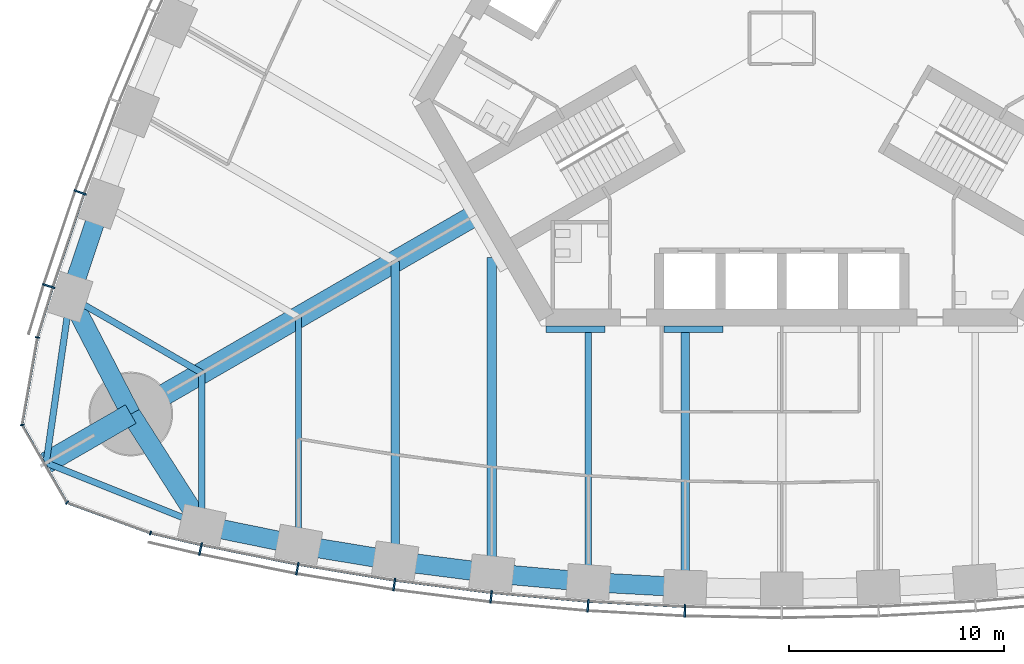
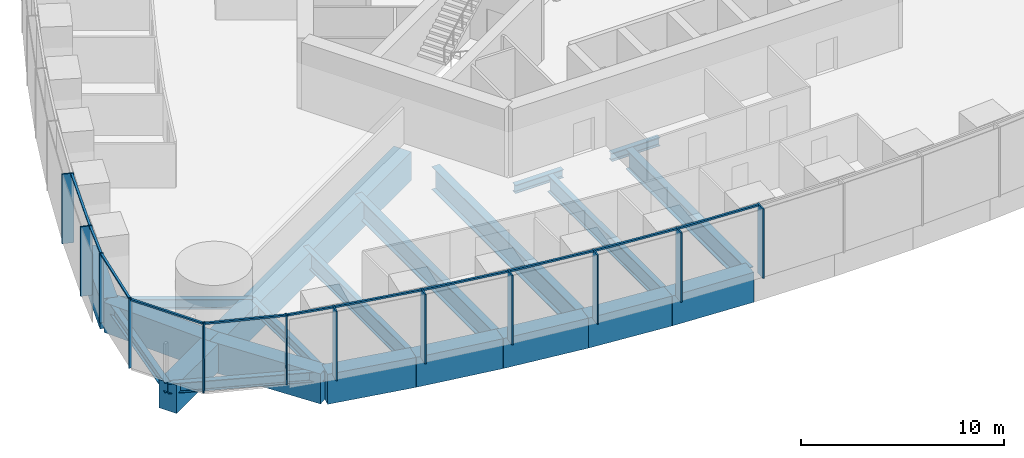
# One storey, part 2 of 18: 23 members, 21 beams, 3 elements without a shape of their own.
"""IFC4 building model written with IfcOpenShell, lengths in metres."""

from ifc_helpers import new_model, si_unit, direction, frame, origin, origin_2d, place, context, subcontext, project, spatial, rectangle, i_section, extrude, material, material_profile, profile_set, type_object, element, aggregate, save


model = new_model("IFC4")

# Units and contexts
model_context = context("Model", 3, precision=1e-05, world=origin(), true_north=direction((0.0, 1.0)))
body_context = subcontext(model_context, "Body", "Model", "MODEL_VIEW")
ifc_project = project(units=[si_unit("LENGTHUNIT", "METRE"), si_unit("AREAUNIT", "SQUARE_METRE"), si_unit("VOLUMEUNIT", "CUBIC_METRE"), si_unit("PLANEANGLEUNIT", "RADIAN"), si_unit("MASSUNIT", "GRAM", prefix="KILO")], contexts=[model_context])

# Site, building, storey
site_placement = place(None, origin())
site = spatial("IfcSite", under=ifc_project, at=site_placement, CompositionType="ELEMENT")
building_placement = place(site_placement, origin())
building = spatial("IfcBuilding", under=site, at=building_placement, Name="Trefoil Bronze Tower", CompositionType="ELEMENT")
storey_placement = place(building_placement, frame((0.0, 0.0, 157.699951171875)))
storey = spatial("IfcBuildingStorey", under=building, at=storey_placement, Name="L36", CompositionType="ELEMENT", Elevation=157.699951171875)

# Curtain wall, members
ifc_material_1 = material(Name="Tinted solar-control glass", Category="glass")
curtain_wall_type_1 = type_object("IfcCurtainWallType", Name="Bronze office curtain wall", PredefinedType="USERDEFINED", material=ifc_material_1)
curtain_wall_1_placement = place(storey_placement, origin())
curtain_wall_1 = element("IfcCurtainWall", 1, at=curtain_wall_1_placement, inside=storey, type_object=curtain_wall_type_1, Name="CW-A L36 F1", ObjectType="CURTAIN WALL", PredefinedType="USERDEFINED")
ifc_material_2 = material(Name="Bronze-finish aluminium", Category="aluminium")
ifc_material_profile_1 = material_profile(ifc_material_2, rectangle(XDim=0.60009765625, YDim=0.080078125, at=origin_2d()), Name="CW-A mullion")
ifc_profile_set_1 = profile_set([ifc_material_profile_1], Name="Bronze-finish aluminium")
member_type_1 = type_object("IfcMemberType", Name="Bronze office curtain wall mullion", PredefinedType="MULLION", material=ifc_profile_set_1)
member_1_placement = place(storey_placement, frame((-27.0634765625, -23.7890625, 0.0), z_axis=(0.0, 0.0, 1.0), x_axis=(0.21197042503, 0.977276081214, 0.0)))
member_1 = element("IfcMember", 2, at=member_1_placement, type_object=member_type_1, Name="CW-A L36 F1 mullion 2", PredefinedType="MULLION", context=body_context, shape_type="SweptSolid", body=[
    extrude(rectangle(XDim=0.60009765625, YDim=0.080078125, at=origin_2d()), origin(), (0.0, 0.0, 1.0), 4.179931640625),
])
member_2_placement = place(storey_placement, frame((-22.553955078125, -24.700927734375, 0.0), z_axis=(0.0, 0.0, 1.0), x_axis=(0.180240853954, 0.98362250613, 0.0)))
member_2 = element("IfcMember", 3, at=member_2_placement, type_object=member_type_1, Name="CW-A L36 F1 mullion 3", PredefinedType="MULLION", context=body_context, shape_type="SweptSolid", body=[
    extrude(rectangle(XDim=0.60009765625, YDim=0.080078125, at=origin_2d()), origin(), (0.0, 0.0, 1.0), 4.179931640625),
])
member_3_placement = place(storey_placement, frame((-18.043212890625, -25.4423828125, 0.0), z_axis=(0.0, 0.0, 1.0), x_axis=(0.144192103798, 0.989549714366, 0.0)))
member_3 = element("IfcMember", 4, at=member_3_placement, type_object=member_type_1, Name="CW-A L36 F1 mullion 4", PredefinedType="MULLION", context=body_context, shape_type="SweptSolid", body=[
    extrude(rectangle(XDim=0.60009765625, YDim=0.080078125, at=origin_2d()), origin(), (0.0, 0.0, 1.0), 4.179931640625),
])
member_4_placement = place(storey_placement, frame((-13.532470703125, -26.01611328125, 0.0), z_axis=(0.0, 0.0, 1.0), x_axis=(0.108143747013, 0.994135267447, 0.0)))
member_4 = element("IfcMember", 5, at=member_4_placement, type_object=member_type_1, Name="CW-A L36 F1 mullion 5", PredefinedType="MULLION", context=body_context, shape_type="SweptSolid", body=[
    extrude(rectangle(XDim=0.60009765625, YDim=0.080078125, at=origin_2d()), origin(), (0.0, 0.0, 1.0), 4.179931640625),
])
member_5_placement = place(storey_placement, frame((-9.021728515625, -26.424072265625, 0.0), z_axis=(0.0, 0.0, 1.0), x_axis=(0.072095676284, 0.997397720802, 0.0)))
member_5 = element("IfcMember", 6, at=member_5_placement, type_object=member_type_1, Name="CW-A L36 F1 mullion 6", PredefinedType="MULLION", context=body_context, shape_type="SweptSolid", body=[
    extrude(rectangle(XDim=0.60009765625, YDim=0.080078125, at=origin_2d()), origin(), (0.0, 0.0, 1.0), 4.179931640625),
])
member_6_placement = place(storey_placement, frame((-4.5107421875, -26.66845703125, 0.0), z_axis=(0.0, 0.0, 1.0), x_axis=(0.036047792107, 0.999350067136, 0.0)))
member_6 = element("IfcMember", 7, at=member_6_placement, type_object=member_type_1, Name="CW-A L36 F1 mullion 7", PredefinedType="MULLION", context=body_context, shape_type="SweptSolid", body=[
    extrude(rectangle(XDim=0.60009765625, YDim=0.080078125, at=origin_2d()), origin(), (0.0, 0.0, 1.0), 4.179931640625),
])

curtain_wall_2_placement = place(storey_placement, origin())
curtain_wall_2 = element("IfcCurtainWall", 8, at=curtain_wall_2_placement, inside=storey, type_object=curtain_wall_type_1, Name="CW-A L36 F3", ObjectType="CURTAIN WALL", PredefinedType="USERDEFINED")
member_7_placement = place(storey_placement, frame((-32.668701171875, -7.181884765625, 0.0), z_axis=(0.0, 0.0, 1.0), x_axis=(0.94196250502, -0.335718094742, 0.0)))
member_7 = element("IfcMember", 9, at=member_7_placement, type_object=member_type_1, Name="CW-A L36 F3 mullion 13", PredefinedType="MULLION", context=body_context, shape_type="SweptSolid", body=[
    extrude(rectangle(XDim=0.60009765625, YDim=0.080078125, at=origin_2d()), origin(), (0.0, 0.0, 1.0), 4.179931640625),
])
member_8_placement = place(storey_placement, frame((-34.1337890625, -11.543212890625, 0.0), z_axis=(0.0, 0.0, 1.0), x_axis=(0.952331125357, -0.30506626768, 0.0)))
member_8 = element("IfcMember", 10, at=member_8_placement, type_object=member_type_1, Name="CW-A L36 F3 mullion 14", PredefinedType="MULLION", context=body_context, shape_type="SweptSolid", body=[
    extrude(rectangle(XDim=0.60009765625, YDim=0.080078125, at=origin_2d()), origin(), (0.0, 0.0, 1.0), 4.179931640625),
])

# Member
ifc_material_3 = material(Name="Bronze-finish aluminium", Category="aluminium")
ifc_material_profile_2 = material_profile(ifc_material_3, rectangle(XDim=0.1201171875, YDim=0.10009765625, at=origin_2d()), Name="CW-A transom")
ifc_profile_set_2 = profile_set([ifc_material_profile_2], Name="Bronze-finish aluminium")
member_type_2 = type_object("IfcMemberType", Name="Bronze office curtain wall transom", PredefinedType="USERDEFINED", material=ifc_profile_set_2)
member_9_placement = place(storey_placement, frame((-29.34130859375, -23.05615234375, 4.130126953125), z_axis=(0.974206243495, -0.225659467196, 0.0), x_axis=(0.225659467196, 0.974206243495, 0.0)))
member_9 = element("IfcMember", 11, at=member_9_placement, type_object=member_type_2, Name="CW-A L36 F1 transom 1", ObjectType="TRANSOM", PredefinedType="USERDEFINED", context=body_context, shape_type="SweptSolid", body=[
    extrude(rectangle(XDim=0.1201171875, YDim=0.10009765625, at=origin_2d()), origin(), (0.0, 0.0, 1.0), 2.340087890625),
])

member_10_placement = place(storey_placement, frame((-26.980712890625, -23.601806640625, 4.130126953125), z_axis=(0.980153749225, -0.198238815273, 0.0), x_axis=(0.198238815273, 0.980153749225, 0.0)))
member_10 = element("IfcMember", 12, at=member_10_placement, type_object=member_type_2, Name="CW-A L36 F1 transom 2", ObjectType="TRANSOM", PredefinedType="USERDEFINED", context=body_context, shape_type="SweptSolid", body=[
    extrude(rectangle(XDim=0.1201171875, YDim=0.10009765625, at=origin_2d()), origin(), (0.0, 0.0, 1.0), 4.51123046875),
])

member_11_placement = place(storey_placement, frame((-22.476806640625, -24.510986328125, 4.130126953125), z_axis=(0.986755265284, -0.162216048636, 0.0), x_axis=(0.162216048636, 0.986755265284, 0.0)))
member_11 = element("IfcMember", 13, at=member_11_placement, type_object=member_type_2, Name="CW-A L36 F1 transom 3", ObjectType="TRANSOM", PredefinedType="USERDEFINED", context=body_context, shape_type="SweptSolid", body=[
    extrude(rectangle(XDim=0.1201171875, YDim=0.10009765625, at=origin_2d()), origin(), (0.0, 0.0, 1.0), 4.48046875),
])

member_12_placement = place(storey_placement, frame((-17.972900390625, -25.249755859375, 4.130126953125), z_axis=(0.992008387848, -0.12617193998, 0.0), x_axis=(0.12617193998, 0.992008387848, 0.0)))
member_12 = element("IfcMember", 14, at=member_12_placement, type_object=member_type_2, Name="CW-A L36 F1 transom 4", ObjectType="TRANSOM", PredefinedType="USERDEFINED", context=body_context, shape_type="SweptSolid", body=[
    extrude(rectangle(XDim=0.1201171875, YDim=0.10009765625, at=origin_2d()), origin(), (0.0, 0.0, 1.0), 4.456298828125),
])

member_13_placement = place(storey_placement, frame((-13.46923828125, -25.821044921875, 4.130126953125), z_axis=(0.995932787062, -0.090099298863, 0.0), x_axis=(0.090099298863, 0.995932787062, 0.0)))
member_13 = element("IfcMember", 15, at=member_13_placement, type_object=member_type_2, Name="CW-A L36 F1 transom 5", ObjectType="TRANSOM", PredefinedType="USERDEFINED", context=body_context, shape_type="SweptSolid", body=[
    extrude(rectangle(XDim=0.1201171875, YDim=0.10009765625, at=origin_2d()), origin(), (0.0, 0.0, 1.0), 4.4384765625),
])

member_14_placement = place(storey_placement, frame((-8.965576171875, -26.22705078125, 4.130126953125), z_axis=(0.998538253569, -0.054049571306, 0.0), x_axis=(0.054049571306, 0.998538253569, 0.0)))
member_14 = element("IfcMember", 16, at=member_14_placement, type_object=member_type_2, Name="CW-A L36 F1 transom 6", ObjectType="TRANSOM", PredefinedType="USERDEFINED", context=body_context, shape_type="SweptSolid", body=[
    extrude(rectangle(XDim=0.1201171875, YDim=0.10009765625, at=origin_2d()), origin(), (0.0, 0.0, 1.0), 4.4267578125),
])

aggregate(curtain_wall_1, [member_1, member_2, member_3, member_4, member_5, member_6, member_9, member_10, member_11, member_12, member_13, member_14])

member_15_placement = place(storey_placement, frame((-32.49365234375, -7.28857421875, 4.130126953125), z_axis=(-0.318386323729, -0.947961048178, 0.0), x_axis=(0.947961048178, -0.318386323729, 0.0)))
member_15 = element("IfcMember", 17, at=member_15_placement, type_object=member_type_2, Name="CW-A L36 F3 transom 13", ObjectType="TRANSOM", PredefinedType="USERDEFINED", context=body_context, shape_type="SweptSolid", body=[
    extrude(rectangle(XDim=0.1201171875, YDim=0.10009765625, at=origin_2d()), origin(), (0.0, 0.0, 1.0), 4.51123046875),
])

member_16_placement = place(storey_placement, frame((-33.955322265625, -11.643798828125, 4.130126953125), z_axis=(-0.291680468798, -0.956515814883, 0.0), x_axis=(0.956515814883, -0.291680468798, 0.0)))
member_16 = element("IfcMember", 18, at=member_16_placement, type_object=member_type_2, Name="CW-A L36 F3 transom 14", ObjectType="TRANSOM", PredefinedType="USERDEFINED", context=body_context, shape_type="SweptSolid", body=[
    extrude(rectangle(XDim=0.1201171875, YDim=0.10009765625, at=origin_2d()), origin(), (0.0, 0.0, 1.0), 2.34033203125),
])

aggregate(curtain_wall_2, [member_7, member_8, member_15, member_16])

# Curtain wall, members
ifc_material_4 = material(Name="Tinted solar-control glass", Category="glass")
curtain_wall_type_2 = type_object("IfcCurtainWallType", Name="Bronze rounded corner curtain wall", PredefinedType="USERDEFINED", material=ifc_material_4)
curtain_wall_3_placement = place(storey_placement, origin())
curtain_wall_3 = element("IfcCurtainWall", 19, at=curtain_wall_3_placement, inside=storey, type_object=curtain_wall_type_2, Name="CW-B L36 K3", ObjectType="CURTAIN WALL", PredefinedType="USERDEFINED")
ifc_material_5 = material(Name="Bronze-finish aluminium", Category="aluminium")
ifc_material_profile_3 = material_profile(ifc_material_5, rectangle(XDim=0.199951171875, YDim=0.06005859375, at=origin_2d()), Name="CW-B mullion")
ifc_profile_set_3 = profile_set([ifc_material_profile_3], Name="Bronze-finish aluminium")
member_type_3 = type_object("IfcMemberType", Name="Bronze rounded corner curtain wall mullion", PredefinedType="MULLION", material=ifc_profile_set_3)
member_17_placement = place(storey_placement, frame((-34.65234375, -13.932373046875, 0.0), z_axis=(0.0, 0.0, 1.0), x_axis=(0.984807753012, -0.173648177667, 0.0)))
member_17 = element("IfcMember", 20, at=member_17_placement, type_object=member_type_3, Name="CW-B L36 K3 mullion 1", PredefinedType="MULLION", context=body_context, shape_type="SweptSolid", body=[
    extrude(rectangle(XDim=0.199951171875, YDim=0.06005859375, at=origin_2d()), origin(), (0.0, 0.0, 1.0), 4.179931640625),
])
member_18_placement = place(storey_placement, frame((-35.364990234375, -18.009033203125, 0.0), z_axis=(0.0, 0.0, 1.0), x_axis=(0.984807753012, 0.173648177667, 0.0)))
member_18 = element("IfcMember", 21, at=member_18_placement, type_object=member_type_3, Name="CW-B L36 K3 mullion 2", PredefinedType="MULLION", context=body_context, shape_type="SweptSolid", body=[
    extrude(rectangle(XDim=0.199951171875, YDim=0.06005859375, at=origin_2d()), origin(), (0.0, 0.0, 1.0), 4.179931640625),
])
member_19_placement = place(storey_placement, frame((-33.27880859375, -21.62255859375, 0.0), z_axis=(0.0, 0.0, 1.0), x_axis=(0.642787609687, 0.766044443119, 0.0)))
member_19 = element("IfcMember", 22, at=member_19_placement, type_object=member_type_3, Name="CW-B L36 K3 mullion 3", PredefinedType="MULLION", context=body_context, shape_type="SweptSolid", body=[
    extrude(rectangle(XDim=0.199951171875, YDim=0.06005859375, at=origin_2d()), origin(), (0.0, 0.0, 1.0), 4.179931640625),
])
member_20_placement = place(storey_placement, frame((-29.391845703125, -23.043701171875, 0.0), z_axis=(0.0, 0.0, 1.0), x_axis=(0.342020143326, 0.939692620786, 0.0)))
member_20 = element("IfcMember", 23, at=member_20_placement, type_object=member_type_3, Name="CW-B L36 K3 mullion 4", PredefinedType="MULLION", context=body_context, shape_type="SweptSolid", body=[
    extrude(rectangle(XDim=0.199951171875, YDim=0.06005859375, at=origin_2d()), origin(), (0.0, 0.0, 1.0), 4.179931640625),
])
ifc_material_6 = material(Name="Bronze-finish aluminium", Category="aluminium")
ifc_material_profile_4 = material_profile(ifc_material_6, rectangle(XDim=0.1201171875, YDim=0.10009765625, at=origin_2d()), Name="CW-B transom")
ifc_profile_set_4 = profile_set([ifc_material_profile_4], Name="Bronze-finish aluminium")
member_type_4 = type_object("IfcMemberType", Name="Bronze rounded corner curtain wall transom", PredefinedType="USERDEFINED", material=ifc_profile_set_4)
member_21_placement = place(storey_placement, frame((-34.657470703125, -13.9619140625, 4.130126953125), z_axis=(-0.173682016639, -0.984801785689, 0.0), x_axis=(0.984801785689, -0.173682016639, 0.0)))
member_21 = element("IfcMember", 24, at=member_21_placement, type_object=member_type_4, Name="CW-B L36 K3 transom 1", ObjectType="TRANSOM", PredefinedType="USERDEFINED", context=body_context, shape_type="SweptSolid", body=[
    extrude(rectangle(XDim=0.1201171875, YDim=0.10009765625, at=origin_2d()), origin(), (0.0, 0.0, 1.0), 4.044189453125),
])
member_22_placement = place(storey_placement, frame((-35.338134765625, -18.067626953125, 4.130126953125), z_axis=(0.500015078168, -0.866016698225, 0.0), x_axis=(0.866016698225, 0.500015078168, 0.0)))
member_22 = element("IfcMember", 25, at=member_22_placement, type_object=member_type_4, Name="CW-B L36 K3 transom 2", ObjectType="TRANSOM", PredefinedType="USERDEFINED", context=body_context, shape_type="SweptSolid", body=[
    extrude(rectangle(XDim=0.1201171875, YDim=0.10009765625, at=origin_2d()), origin(), (0.0, 0.0, 1.0), 4.04443359375),
])
member_23_placement = place(storey_placement, frame((-33.220458984375, -21.650146484375, 4.130126953125), z_axis=(0.939684096629, -0.342043562347, 0.0), x_axis=(0.342043562347, 0.939684096629, 0.0)))
member_23 = element("IfcMember", 26, at=member_23_placement, type_object=member_type_4, Name="CW-B L36 K3 transom 3", ObjectType="TRANSOM", PredefinedType="USERDEFINED", context=body_context, shape_type="SweptSolid", body=[
    extrude(rectangle(XDim=0.1201171875, YDim=0.10009765625, at=origin_2d()), origin(), (0.0, 0.0, 1.0), 4.044189453125),
])
aggregate(curtain_wall_3, [member_17, member_18, member_19, member_20, member_21, member_22, member_23])

# Beams
ifc_material_7 = material(Name="Steel C355", Category="steel")
ifc_material_profile_5 = material_profile(ifc_material_7, i_section(OverallWidth=0.300048828125, OverallDepth=0.5, WebThickness=0.014404296875, FlangeThickness=0.028076171875, FilletRadius=0.027099609375, at=origin_2d()), Name="HEB 500")
ifc_profile_set_5 = profile_set([ifc_material_profile_5], Name="Steel C355")
beam_type_1 = type_object("IfcBeamType", Name="Core seat beam HEB 500", PredefinedType="BEAM", material=ifc_profile_set_5)
for number, where, z_axis, x_axis, name in (
    (27, (-10.9697265625, -13.550048828125, -0.449951171875), (1.0, 0.0, 0.0), (0.0, 1.0, 0.0), "Core seat beam F1/-2 L36"),
    (28, (-5.48486328125, -13.550048828125, -0.449951171875), (1.0, 0.0, 0.0), (0.0, 1.0, 0.0), "Core seat beam F1/-1 L36"),
):
    element("IfcBeam", number, at=place(storey_placement, frame(where, z_axis=z_axis, x_axis=x_axis)), inside=storey, type_object=beam_type_1, Name=name, PredefinedType="BEAM", context=body_context, shape_type="SweptSolid", body=[
        extrude(i_section(OverallWidth=0.300048828125, OverallDepth=0.5, WebThickness=0.014404296875, FlangeThickness=0.028076171875, FilletRadius=0.027099609375, at=origin_2d()), origin(), (0.0, 0.0, 1.0), 2.742431640625),
    ])
ifc_material_8 = material(Name="Concrete B80", Category="concrete")
ifc_material_profile_6 = material_profile(ifc_material_8, rectangle(XDim=1.0, YDim=1.699951171875, at=origin_2d()), Name="RC 1000x1700")
ifc_profile_set_6 = profile_set([ifc_material_profile_6], Name="Concrete B80")
beam_type_2 = type_object("IfcBeamType", Name="Corner cantilever RC 1000x1700", PredefinedType="BEAM", material=ifc_profile_set_6)
beam_1_placement = place(storey_placement, frame((-30.310791015625, -17.5, -1.050048828125), z_axis=(-0.866031878637, -0.499988785058, 0.0), x_axis=(0.499988785058, -0.866031878637, 0.0)))
element("IfcBeam", 29, at=beam_1_placement, inside=storey, type_object=beam_type_2, Name="Corner cantilever K3 L36", PredefinedType="BEAM", context=body_context, shape_type="SweptSolid", body=[
    extrude(rectangle(XDim=1.0, YDim=1.699951171875, at=origin_2d()), origin(), (0.0, 0.0, 1.0), 4.54931640625),
])
ifc_material_9 = material(Name="Steel C355", Category="steel")
ifc_material_profile_7 = material_profile(ifc_material_9, i_section(OverallWidth=0.300048828125, OverallDepth=0.60009765625, WebThickness=0.015380859375, FlangeThickness=0.030029296875, FilletRadius=0.027099609375, at=origin_2d()), Name="HEB 600")
ifc_profile_set_7 = profile_set([ifc_material_profile_7], Name="Steel C355")
beam_type_3 = type_object("IfcBeamType", Name="Corner edge beam HEB 600", PredefinedType="BEAM", material=ifc_profile_set_7)
for number, where, z_axis, x_axis, name in (
    (30, (-27.0, -22.67724609375, -0.5), (-0.928375332495, 0.371643972122, 0.0), (-0.371643972122, -0.928375332495, 0.0), "Corner edge beam F1B L36"),
    (31, (-33.13916015625, -12.044189453125, -0.5), (-0.142327214588, -0.989819662357, 0.0), (0.989819662357, -0.142327214588, 0.0), "Corner edge beam F3A L36"),
):
    element("IfcBeam", number, at=place(storey_placement, frame(where, z_axis=z_axis, x_axis=x_axis)), inside=storey, type_object=beam_type_3, Name=name, PredefinedType="BEAM", context=body_context, shape_type="SweptSolid", body=[
        extrude(i_section(OverallWidth=0.300048828125, OverallDepth=0.60009765625, WebThickness=0.015380859375, FlangeThickness=0.030029296875, FilletRadius=0.027099609375, at=origin_2d()), origin(), (0.0, 0.0, 1.0), 7.81005859375),
    ])
ifc_material_10 = material(Name="Concrete B80", Category="concrete")
ifc_material_profile_8 = material_profile(ifc_material_10, rectangle(XDim=1.0, YDim=1.699951171875, at=origin_2d()), Name="RC 1000x1700")
ifc_profile_set_8 = profile_set([ifc_material_profile_8], Name="Concrete B80")
beam_type_4 = type_object("IfcBeamType", Name="Corner girder RC 1000x1700", PredefinedType="BEAM", material=ifc_profile_set_8)
beam_2_placement = place(storey_placement, frame((-14.202880859375, -8.199951171875, -1.050048828125), z_axis=(-0.866022084834, -0.500005748546, 0.0), x_axis=(0.500005748546, -0.866022084834, 0.0)))
element("IfcBeam", 32, at=beam_2_placement, inside=storey, type_object=beam_type_4, Name="Corner girder K3 L36", PredefinedType="BEAM", context=body_context, shape_type="SweptSolid", body=[
    extrude(rectangle(XDim=1.0, YDim=1.699951171875, at=origin_2d()), origin(), (0.0, 0.0, 1.0), 18.599853515625),
])
ifc_material_11 = material(Name="Concrete B80", Category="concrete")
ifc_material_profile_9 = material_profile(ifc_material_11, rectangle(XDim=0.89990234375, YDim=1.800048828125, at=origin_2d()), Name="RC 900x1800")
ifc_profile_set_9 = profile_set([ifc_material_profile_9], Name="Concrete B80")
beam_type_5 = type_object("IfcBeamType", Name="End spandrel beam RC 900x1800", PredefinedType="SPANDREL", material=ifc_profile_set_9)
for number, where, z_axis, x_axis, name in (
    (33, (-30.310791015625, -17.5, -1.099853515625), (0.53874814953, -0.84246687257, 0.0), (0.84246687257, 0.53874814953, 0.0), "Spandrel F1.1 L36"),
    (34, (-33.13916015625, -12.044189453125, -1.099853515625), (0.460244107083, -0.887792409235, 0.0), (0.887792409235, 0.460244107083, 0.0), "Spandrel F3.14 L36"),
):
    element("IfcBeam", number, at=place(storey_placement, frame(where, z_axis=z_axis, x_axis=x_axis)), inside=storey, type_object=beam_type_5, Name=name, PredefinedType="SPANDREL", context=body_context, shape_type="SweptSolid", body=[
        extrude(rectangle(XDim=0.89990234375, YDim=1.800048828125, at=origin_2d()), origin(), (0.0, 0.0, 1.0), 6.145263671875),
    ])
ifc_material_12 = material(Name="Steel C355", Category="steel")
ifc_material_profile_10 = material_profile(ifc_material_12, i_section(OverallWidth=0.300048828125, OverallDepth=1.0, WebThickness=0.01904296875, FlangeThickness=0.035888671875, FilletRadius=0.030029296875, at=origin_2d()), Name="HEB 1000")
ifc_profile_set_10 = profile_set([ifc_material_profile_10], Name="Steel C355")
beam_type_6 = type_object("IfcBeamType", Name="Floor beam HEB 1000", PredefinedType="BEAM", material=ifc_profile_set_10)
beam_3_placement = place(storey_placement, frame((-22.5, -23.592529296875, -0.699951171875), z_axis=(0.0, 1.0, 0.0), x_axis=(-1.0, 0.0, 0.0)))
element("IfcBeam", 35, at=beam_3_placement, inside=storey, type_object=beam_type_6, Name="Floor beam F1/-5 L36", PredefinedType="BEAM", context=body_context, shape_type="SweptSolid", body=[
    extrude(i_section(OverallWidth=0.300048828125, OverallDepth=1.0, WebThickness=0.01904296875, FlangeThickness=0.035888671875, FilletRadius=0.030029296875, at=origin_2d()), origin(), (0.0, 0.0, 1.0), 10.60205078125),
])
ifc_material_13 = material(Name="Steel C355", Category="steel")
ifc_material_profile_11 = material_profile(ifc_material_13, i_section(OverallWidth=0.300048828125, OverallDepth=0.60009765625, WebThickness=0.015380859375, FlangeThickness=0.030029296875, FilletRadius=0.027099609375, at=origin_2d()), Name="HEB 600")
ifc_profile_set_11 = profile_set([ifc_material_profile_11], Name="Steel C355")
beam_type_7 = type_object("IfcBeamType", Name="Floor beam HEB 600", PredefinedType="BEAM", material=ifc_profile_set_11)
for number, where, z_axis, x_axis, name in (
    (36, (-27.0, -22.67724609375, -0.5), (0.0, 1.0, 0.0), (-1.0, 0.0, 0.0), "Floor beam F1/-6 L36"),
    (37, (-33.13916015625, -12.044189453125, -0.5), (0.866041060244, -0.499972881236, 0.0), (0.499972881236, 0.866041060244, 0.0), "Floor beam F3/+6 L36"),
):
    element("IfcBeam", number, at=place(storey_placement, frame(where, z_axis=z_axis, x_axis=x_axis)), inside=storey, type_object=beam_type_7, Name=name, PredefinedType="BEAM", context=body_context, shape_type="SweptSolid", body=[
        extrude(i_section(OverallWidth=0.300048828125, OverallDepth=0.60009765625, WebThickness=0.015380859375, FlangeThickness=0.030029296875, FilletRadius=0.027099609375, at=origin_2d()), origin(), (0.0, 0.0, 1.0), 7.0888671875),
    ])
ifc_material_14 = material(Name="Steel C355", Category="steel")
ifc_material_profile_12 = material_profile(ifc_material_14, i_section(OverallWidth=0.302001953125, OverallDepth=1.008056640625, WebThickness=0.02099609375, FlangeThickness=0.0400390625, FilletRadius=0.030029296875, at=origin_2d()), Name="HEM 1000")
ifc_profile_set_12 = profile_set([ifc_material_profile_12], Name="Steel C355")
beam_type_8 = type_object("IfcBeamType", Name="Floor beam HEM 1000", PredefinedType="BEAM", material=ifc_profile_set_12)
beam_4_placement = place(storey_placement, frame((-9.0, -25.32275390625, -0.703857421875), z_axis=(0.0, 1.0, 0.0), x_axis=(-1.0, 0.0, 0.0)))
element("IfcBeam", 38, at=beam_4_placement, inside=storey, type_object=beam_type_8, Name="Floor beam F1/-2 L36", PredefinedType="BEAM", context=body_context, shape_type="SweptSolid", body=[
    extrude(i_section(OverallWidth=0.302001953125, OverallDepth=1.008056640625, WebThickness=0.02099609375, FlangeThickness=0.0400390625, FilletRadius=0.030029296875, at=origin_2d()), origin(), (0.0, 0.0, 1.0), 11.622802734375),
])
ifc_material_15 = material(Name="Steel C355", Category="steel")
ifc_material_profile_13 = material_profile(ifc_material_15, i_section(OverallWidth=0.39990234375, OverallDepth=1.199951171875, WebThickness=0.02001953125, FlangeThickness=0.0400390625, FilletRadius=0.010009765625, at=origin_2d()), Name="WPG 1200")
ifc_profile_set_13 = profile_set([ifc_material_profile_13], Name="Steel C355")
beam_type_9 = type_object("IfcBeamType", Name="Floor beam WPG 1200", PredefinedType="BEAM", material=ifc_profile_set_13)
beam_5_placement = place(storey_placement, frame((-18.0, -24.337158203125, -0.800048828125), z_axis=(0.0, 1.0, 0.0), x_axis=(-1.0, 0.0, 0.0)))
element("IfcBeam", 39, at=beam_5_placement, inside=storey, type_object=beam_type_9, Name="Floor beam F1/-4 L36", PredefinedType="BEAM", context=body_context, shape_type="SweptSolid", body=[
    extrude(i_section(OverallWidth=0.39990234375, OverallDepth=1.199951171875, WebThickness=0.02001953125, FlangeThickness=0.0400390625, FilletRadius=0.010009765625, at=origin_2d()), origin(), (0.0, 0.0, 1.0), 13.94482421875),
])
beam_6_placement = place(storey_placement, frame((-4.5, -25.568115234375, -0.800048828125), z_axis=(0.0, 1.0, 0.0), x_axis=(-1.0, 0.0, 0.0)))
element("IfcBeam", 40, at=beam_6_placement, inside=storey, type_object=beam_type_9, Name="Floor beam F1/-1 L36", PredefinedType="BEAM", context=body_context, shape_type="SweptSolid", body=[
    extrude(i_section(OverallWidth=0.39990234375, OverallDepth=1.199951171875, WebThickness=0.02001953125, FlangeThickness=0.0400390625, FilletRadius=0.010009765625, at=origin_2d()), origin(), (0.0, 0.0, 1.0), 11.8681640625),
])
ifc_material_16 = material(Name="Steel C355", Category="steel")
ifc_material_profile_14 = material_profile(ifc_material_16, i_section(OverallWidth=0.449951171875, OverallDepth=1.39990234375, WebThickness=0.02294921875, FlangeThickness=0.044921875, FilletRadius=0.011962890625, at=origin_2d()), Name="WPG 1400")
ifc_profile_set_14 = profile_set([ifc_material_profile_14], Name="Steel C355")
beam_type_10 = type_object("IfcBeamType", Name="Floor beam WPG 1400", PredefinedType="BEAM", material=ifc_profile_set_14)
beam_7_placement = place(storey_placement, frame((-13.5, -24.9130859375, -0.89990234375), z_axis=(0.0, 1.0, 0.0), x_axis=(-1.0, 0.0, 0.0)))
element("IfcBeam", 41, at=beam_7_placement, inside=storey, type_object=beam_type_10, Name="Floor beam F1/-3 L36", PredefinedType="BEAM", context=body_context, shape_type="SweptSolid", body=[
    extrude(i_section(OverallWidth=0.449951171875, OverallDepth=1.39990234375, WebThickness=0.02294921875, FlangeThickness=0.044921875, FilletRadius=0.011962890625, at=origin_2d()), origin(), (0.0, 0.0, 1.0), 14.69580078125),
])
ifc_material_17 = material(Name="Concrete B80", Category="concrete")
ifc_material_profile_15 = material_profile(ifc_material_17, rectangle(XDim=0.89990234375, YDim=1.800048828125, at=origin_2d()), Name="RC 900x1800")
ifc_profile_set_15 = profile_set([ifc_material_profile_15], Name="Concrete B80")
beam_type_11 = type_object("IfcBeamType", Name="Spandrel beam RC 900x1800", PredefinedType="SPANDREL", material=ifc_profile_set_15)
beam_8_placement = place(storey_placement, frame((-27.0, -22.67724609375, -1.099853515625), z_axis=(0.979935430296, -0.199315208777, 0.0), x_axis=(0.199315208777, 0.979935430296, 0.0)))
element("IfcBeam", 42, at=beam_8_placement, inside=storey, type_object=beam_type_11, Name="Spandrel F1.2 L36", PredefinedType="SPANDREL", context=body_context, shape_type="SweptSolid", body=[
    extrude(rectangle(XDim=0.89990234375, YDim=1.800048828125, at=origin_2d()), origin(), (0.0, 0.0, 1.0), 4.592041015625),
])
beam_9_placement = place(storey_placement, frame((-22.5, -23.592529296875, -1.099853515625), z_axis=(0.986584214684, -0.163253138823, 0.0), x_axis=(0.163253138823, 0.986584214684, 0.0)))
element("IfcBeam", 43, at=beam_9_placement, inside=storey, type_object=beam_type_11, Name="Spandrel F1.3 L36", PredefinedType="SPANDREL", context=body_context, shape_type="SweptSolid", body=[
    extrude(rectangle(XDim=0.89990234375, YDim=1.800048828125, at=origin_2d()), origin(), (0.0, 0.0, 1.0), 4.561279296875),
])
beam_10_placement = place(storey_placement, frame((-18.0, -24.337158203125, -1.099853515625), z_axis=(0.991909314257, -0.126948463126, 0.0), x_axis=(0.126948463126, 0.991909314257, 0.0)))
element("IfcBeam", 44, at=beam_10_placement, inside=storey, type_object=beam_type_11, Name="Spandrel F1.4 L36", PredefinedType="SPANDREL", context=body_context, shape_type="SweptSolid", body=[
    extrude(rectangle(XDim=0.89990234375, YDim=1.800048828125, at=origin_2d()), origin(), (0.0, 0.0, 1.0), 4.53662109375),
])
beam_11_placement = place(storey_placement, frame((-13.5, -24.9130859375, -1.099853515625), z_axis=(0.995881683815, -0.090662405894, 0.0), x_axis=(0.090662405894, 0.995881683815, 0.0)))
element("IfcBeam", 45, at=beam_11_placement, inside=storey, type_object=beam_type_11, Name="Spandrel F1.5 L36", PredefinedType="SPANDREL", context=body_context, shape_type="SweptSolid", body=[
    extrude(rectangle(XDim=0.89990234375, YDim=1.800048828125, at=origin_2d()), origin(), (0.0, 0.0, 1.0), 4.5185546875),
])
beam_12_placement = place(storey_placement, frame((-9.0, -25.32275390625, -1.099853515625), z_axis=(0.998516832602, -0.054443870267, 0.0), x_axis=(0.054443870267, 0.998516832602, 0.0)))
element("IfcBeam", 46, at=beam_12_placement, inside=storey, type_object=beam_type_11, Name="Spandrel F1.6 L36", PredefinedType="SPANDREL", context=body_context, shape_type="SweptSolid", body=[
    extrude(rectangle(XDim=0.89990234375, YDim=1.800048828125, at=origin_2d()), origin(), (0.0, 0.0, 1.0), 4.506591796875),
])
beam_13_placement = place(storey_placement, frame((-31.681884765625, -7.689208984375, -1.099853515625), z_axis=(-0.31732802068, -0.948315837309, 0.0), x_axis=(0.948315837309, -0.31732802068, 0.0)))
element("IfcBeam", 47, at=beam_13_placement, inside=storey, type_object=beam_type_11, Name="Spandrel F3.13 L36", PredefinedType="SPANDREL", context=body_context, shape_type="SweptSolid", body=[
    extrude(rectangle(XDim=0.89990234375, YDim=1.800048828125, at=origin_2d()), origin(), (0.0, 0.0, 1.0), 4.59228515625),
])

save(model, "model.ifc")
